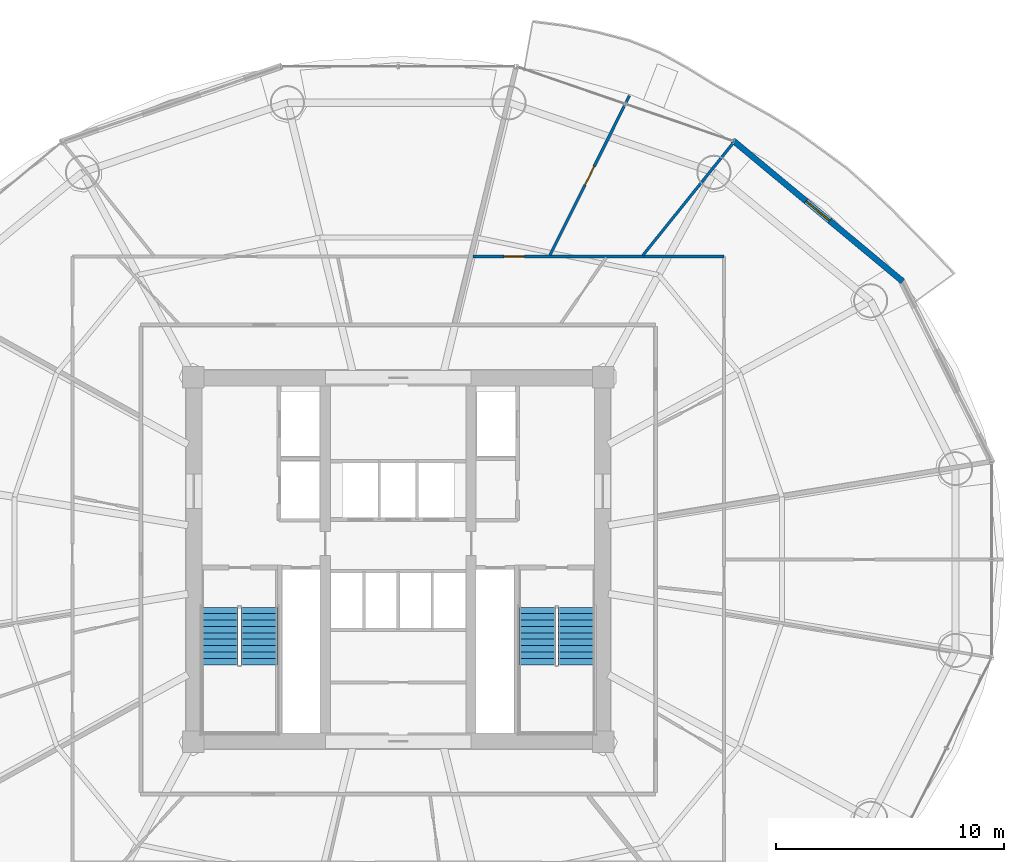
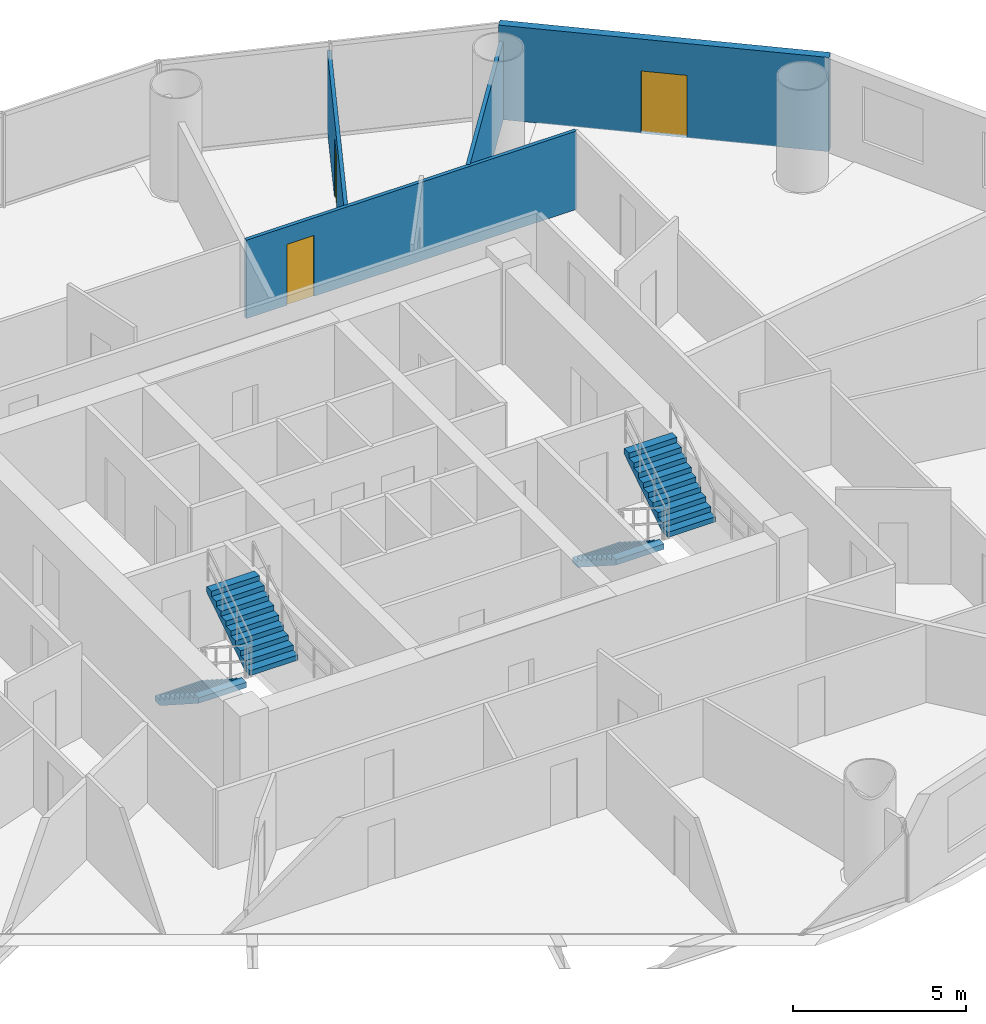
# One storey, part 25 of 29: 4 stair flights, 4 walls, 3 doors, 3 openings, 2 elements without a shape of their own.
"""IFC4 building model written with IfcOpenShell, lengths in metres."""

from ifc_helpers import new_model, si_unit, direction, frame, frame_2d, origin, place, context, subcontext, project, spatial, polyline, rectangle, outline, extrude, source, transform, mapped, material, layer, layer_set, type_object, element, fill, aggregate, save


model = new_model("IFC4")

# Units and contexts
model_context = context("Model", 3, precision=1e-05, world=origin(), true_north=direction((-0.2419218956, 0.970295726276)))
body_context = subcontext(model_context, "Body", "Model", "MODEL_VIEW")
ifc_project = project(units=[si_unit("LENGTHUNIT", "METRE"), si_unit("AREAUNIT", "SQUARE_METRE"), si_unit("VOLUMEUNIT", "CUBIC_METRE"), si_unit("PLANEANGLEUNIT", "RADIAN"), si_unit("MASSUNIT", "GRAM", prefix="KILO")], contexts=[model_context])

# Site, building, storey
site_placement = place(None, origin())
site = spatial("IfcSite", under=ifc_project, at=site_placement, CompositionType="ELEMENT")
building_placement = place(site_placement, origin())
building = spatial("IfcBuilding", under=site, at=building_placement, Name="Cobrevalo Terracotta Tower", CompositionType="ELEMENT")
storey_placement = place(building_placement, frame((0.0, 0.0, 123.0)))
storey = spatial("IfcBuildingStorey", under=building, at=storey_placement, Name="L32", CompositionType="ELEMENT", Elevation=123.0)

# Wall, opening, door
ifc_material_1 = material(Name="Autoclaved aerated concrete block", Category="concrete")
ifc_layer_1 = layer(ifc_material_1, 0.260009765625)
ifc_layer_set_1 = layer_set([ifc_layer_1], Name="Autoclaved aerated concrete block")
wall_type_1 = type_object("IfcWallType", Name="Recessed balcony loggia insulated exterior wall 260 mm", PredefinedType="SOLIDWALL", material=ifc_layer_set_1)
wall_1_placement = place(storey_placement, frame((60.15380859375, 39.01025390625, 0.0), z_axis=(0.0, 0.0, 1.0), x_axis=(-0.769242574941, 0.638956853706, 0.0)))
wall_1 = element("IfcWall", 1, at=wall_1_placement, inside=storey, type_object=wall_type_1, Name="L32 balcony loggia wall S02", PredefinedType="SOLIDWALL", context=body_context, shape_type="SweptSolid", body=[
    extrude(rectangle(XDim=9.68994140625, YDim=0.260009765625, at=frame_2d((4.844970703125, 0.0))), origin(), (0.0, 0.0, 1.0), 3.324951171875),
])
opening_1_placement = place(wall_1_placement, frame((4.169921875, 0.0, 0.0)))
opening_1 = element("IfcOpeningElement", 2, at=opening_1_placement, cuts=wall_1, Name="Opening ED-05", PredefinedType="OPENING", context=body_context, shape_type="SweptSolid", body=[
    extrude(rectangle(XDim=1.35009765625, YDim=2.199951171875, at=frame_2d((0.675048828125, 1.10009765625))), frame((0.0, 0.14013671875, 0.0), z_axis=(0.0, -1.0, 0.0), x_axis=(1.0, 0.0, 0.0)), (0.0, 0.0, 1.0), 0.280029296875),
])
ifc_material_2 = material(Name="Anodized aluminium and laminated glass", Category="aluminium")
door_type_1 = type_object("IfcDoorType", Name="Suite balcony acoustic glazed terrace door 1350x2200", OperationType="NOTDEFINED", PredefinedType="DOOR", material=ifc_material_2)
shared_shape_1 = source(origin(), body_context, "Body", "SweptSolid", [
    extrude(rectangle(XDim=1.35009765625, YDim=2.199951171875, at=frame_2d((0.675048828125, 1.10009765625))), frame((0.0, 0.02490234375, 0.0), z_axis=(0.0, -1.0, 0.0), x_axis=(1.0, 0.0, 0.0)), (0.0, 0.0, 1.0), 0.050048828125),
])
door_1_placement = place(opening_1_placement, frame((1.35009765625, 0.0, 0.0), z_axis=(0.0, 0.0, 1.0), x_axis=(-1.0, 0.0, 0.0)))
door_1 = element("IfcDoor", 3, at=door_1_placement, inside=storey, type_object=door_type_1, Name="L32 glazed balcony terrace door 1", OperationType="SINGLE_SWING_LEFT", OverallHeight=2.199951171875, OverallWidth=1.35009765625, PredefinedType="DOOR", context=body_context, shape_type="MappedRepresentation", body=[
    mapped(shared_shape_1, transform((0.0, 0.0, 0.0), scale=1.0)),
])
fill(opening_1, door_1)

ifc_material_3 = material(Name="Gypsum board on steel stud", Category="steel")
ifc_layer_2 = layer(ifc_material_3, 0.1201171875)
ifc_layer_set_2 = layer_set([ifc_layer_2], Name="Gypsum board on steel stud")
wall_type_2 = type_object("IfcWallType", Name="Residential internal acoustic stud partition 120 mm", PredefinedType="PARTITIONING", material=ifc_layer_set_2)
wall_2_placement = place(storey_placement, frame((41.287353515625, 40.10498046875, 0.0), z_axis=(0.0, 0.0, 1.0), x_axis=(1.0, 0.0, 0.0)))
wall_2 = element("IfcWall", 4, at=wall_2_placement, inside=storey, type_object=wall_type_2, Name="L32 interior partition IW-L32-U1-RING0_0", PredefinedType="PARTITIONING", context=body_context, shape_type="SweptSolid", body=[
    extrude(rectangle(XDim=11.017578125, YDim=0.1201171875, at=frame_2d((5.5087890625, 0.0))), origin(), (0.0, 0.0, 1.0), 2.76708984375),
])
opening_2_placement = place(wall_2_placement, frame((1.35693359375, 0.0, 0.0)))
opening_2 = element("IfcOpeningElement", 5, at=opening_2_placement, cuts=wall_2, Name="Opening ID-12", PredefinedType="OPENING", context=body_context, shape_type="SweptSolid", body=[
    extrude(rectangle(XDim=0.89990234375, YDim=2.14990234375, at=frame_2d((0.449951171875, 1.074951171875))), frame((0.0, 0.070068359375, 0.0), z_axis=(0.0, -1.0, 0.0), x_axis=(1.0, 0.0, 0.0)), (0.0, 0.0, 1.0), 0.14013671875),
])
ifc_material_4 = material(Name="Engineered timber", Category="wood")
door_type_2 = type_object("IfcDoorType", Name="Internal residence & suite timber door 900x2150", OperationType="NOTDEFINED", PredefinedType="DOOR", material=ifc_material_4)
shared_shape_2 = source(origin(), body_context, "Body", "SweptSolid", [
    extrude(rectangle(XDim=0.89990234375, YDim=2.14990234375, at=frame_2d((0.449951171875, 1.074951171875))), frame((0.0, 0.02490234375, 0.0), z_axis=(0.0, -1.0, 0.0), x_axis=(1.0, 0.0, 0.0)), (0.0, 0.0, 1.0), 0.050048828125),
])
door_2_placement = place(opening_2_placement, origin())
door_2 = element("IfcDoor", 6, at=door_2_placement, inside=storey, type_object=door_type_2, Name="Flat L32A Penthouse Family Lounge internal door", OperationType="SINGLE_SWING_LEFT", OverallHeight=2.14990234375, OverallWidth=0.89990234375, PredefinedType="DOOR", context=body_context, shape_type="MappedRepresentation", body=[
    mapped(shared_shape_2, transform((0.0, 0.0, 0.0), scale=1.0)),
])
fill(opening_2, door_2)

# Wall
wall_3_placement = place(storey_placement, frame((48.7392578125, 40.1533203125, 0.0), z_axis=(0.0, 0.0, 1.0), x_axis=(0.626714875168, 0.779248654309, 0.0)))
element("IfcWall", 7, at=wall_3_placement, inside=storey, type_object=wall_type_2, Name="L32 interior partition IW-L32-U1-ORAD1", PredefinedType="PARTITIONING", context=body_context, shape_type="SweptSolid", body=[
    extrude(rectangle(XDim=6.331787109375, YDim=0.1201171875, at=frame_2d((3.166015625, 0.0))), origin(), (0.0, 0.0, 1.0), 2.76708984375),
])

# Wall, opening, door
wall_4_placement = place(storey_placement, frame((44.660888671875, 40.160400390625, 0.0), z_axis=(0.0, 0.0, 1.0), x_axis=(0.446177198157, 0.894944639542, 0.0)))
wall_4 = element("IfcWall", 8, at=wall_4_placement, inside=storey, type_object=wall_type_2, Name="L32 interior partition IW-L32-U1-ORAD2M1", PredefinedType="PARTITIONING", context=body_context, shape_type="SweptSolid", body=[
    extrude(rectangle(XDim=7.822998046875, YDim=0.1201171875, at=frame_2d((3.91162109375, 0.0))), origin(), (0.0, 0.0, 1.0), 2.76708984375),
])
opening_3_placement = place(wall_4_placement, frame((3.46142578125, 0.0, 0.0)))
opening_3 = element("IfcOpeningElement", 9, at=opening_3_placement, cuts=wall_4, Name="Opening ID-12", PredefinedType="OPENING", context=body_context, shape_type="SweptSolid", body=[
    extrude(rectangle(XDim=0.89990234375, YDim=2.14990234375, at=frame_2d((0.449951171875, 1.074951171875))), frame((0.0, 0.070068359375, 0.0), z_axis=(0.0, -1.0, 0.0), x_axis=(1.0, 0.0, 0.0)), (0.0, 0.0, 1.0), 0.14013671875),
])
door_3_placement = place(opening_3_placement, frame((0.89990234375, 0.0, 0.0), z_axis=(0.0, 0.0, 1.0), x_axis=(-1.0, 0.0, 0.0)))
door_3 = element("IfcDoor", 10, at=door_3_placement, inside=storey, type_object=door_type_2, Name="Flat L32A Master Bedroom internal door", OperationType="SINGLE_SWING_RIGHT", OverallHeight=2.14990234375, OverallWidth=0.89990234375, PredefinedType="DOOR", context=body_context, shape_type="MappedRepresentation", body=[
    mapped(shared_shape_2, transform((0.0, 0.0, 0.0), scale=1.0)),
])
fill(opening_3, door_3)

# Stair, stair flights
ifc_material_5 = material(Name="Concrete C50", Category="concrete")
stair_type = type_object("IfcStairType", Name="Core protected escape dogleg stair 1600", PredefinedType="HALF_TURN_STAIR", material=ifc_material_5)
stair_1_placement = place(storey_placement, origin())
stair_1 = element("IfcStair", 11, at=stair_1_placement, inside=storey, type_object=stair_type, Name="L32 Protected exit stair ST-1", PredefinedType="HALF_TURN_STAIR")
stair_flight_type = type_object("IfcStairFlightType", Name="Core protected escape dogleg stair 1600 flight", PredefinedType="STRAIGHT", material=ifc_material_5)
stair_flight_1_placement = place(storey_placement, frame((30.175048828125, 24.699951171875, 0.0), z_axis=(0.0, 0.0, 1.0), x_axis=(0.0, -1.0, 0.0)))
stair_flight_1 = element("IfcStairFlight", 12, at=stair_flight_1_placement, type_object=stair_flight_type, Name="ST-1 flight 1", NumberOfRisers=10, NumberOfTreads=9, PredefinedType="STRAIGHT", RiserHeight=0.18, TreadLength=0.28, context=body_context, shape_type="SweptSolid", body=[
    extrude(outline(polyline([(0.0, 0.0), (0.0, 0.179931640625), (0.280029296875, 0.179931640625), (0.280029296875, 0.360107421875), (0.56005859375, 0.360107421875), (0.56005859375, 0.5400390625), (0.840087890625, 0.5400390625), (0.840087890625, 0.719970703125), (1.1201171875, 0.719970703125), (1.1201171875, 0.89990234375), (1.39990234375, 0.89990234375), (1.39990234375, 1.080078125), (1.679931640625, 1.080078125), (1.679931640625, 1.260009765625), (1.9599609375, 1.260009765625), (1.9599609375, 1.43994140625), (2.239990234375, 1.43994140625), (2.239990234375, 1.6201171875), (2.52001953125, 1.6201171875), (2.52001953125, 1.800048828125), (2.52001953125, 1.429931640625), (0.295654296875, 0.0), (0.0, 0.0)])), frame((0.0, 0.800048828125, 0.0), z_axis=(0.0, -1.0, 0.0), x_axis=(1.0, 0.0, 0.0)), (0.0, 0.0, 1.0), 1.60009765625),
])
stair_flight_2_placement = place(storey_placement, frame((31.89501953125, 22.179931640625, 1.800048828125), z_axis=(0.0, 0.0, 1.0), x_axis=(0.0, 1.0, 0.0)))
stair_flight_2 = element("IfcStairFlight", 13, at=stair_flight_2_placement, type_object=stair_flight_type, Name="ST-1 flight 2", NumberOfRisers=10, NumberOfTreads=9, PredefinedType="STRAIGHT", RiserHeight=0.18, TreadLength=0.28, context=body_context, shape_type="SweptSolid", body=[
    extrude(outline(polyline([(0.0, 0.0), (0.0, 0.179931640625), (0.280029296875, 0.179931640625), (0.280029296875, 0.360107421875), (0.56005859375, 0.360107421875), (0.56005859375, 0.5400390625), (0.840087890625, 0.5400390625), (0.840087890625, 0.719970703125), (1.1201171875, 0.719970703125), (1.1201171875, 0.89990234375), (1.39990234375, 0.89990234375), (1.39990234375, 1.080078125), (1.679931640625, 1.080078125), (1.679931640625, 1.260009765625), (1.9599609375, 1.260009765625), (1.9599609375, 1.43994140625), (2.239990234375, 1.43994140625), (2.239990234375, 1.6201171875), (2.52001953125, 1.6201171875), (2.52001953125, 1.800048828125), (2.52001953125, 1.429931640625), (0.295654296875, 0.0), (0.0, 0.0)])), frame((0.0, 0.800048828125, 0.0), z_axis=(0.0, -1.0, 0.0), x_axis=(1.0, 0.0, 0.0)), (0.0, 0.0, 1.0), 1.60009765625),
])
aggregate(stair_1, [stair_flight_1, stair_flight_2])

stair_2_placement = place(storey_placement, origin())
stair_2 = element("IfcStair", 14, at=stair_2_placement, inside=storey, type_object=stair_type, Name="L32 Protected exit stair ST-2", PredefinedType="HALF_TURN_STAIR")
stair_flight_3_placement = place(storey_placement, frame((44.10498046875, 24.699951171875, 0.0), z_axis=(0.0, 0.0, 1.0), x_axis=(0.0, -1.0, 0.0)))
stair_flight_3 = element("IfcStairFlight", 15, at=stair_flight_3_placement, type_object=stair_flight_type, Name="ST-2 flight 1", NumberOfRisers=10, NumberOfTreads=9, PredefinedType="STRAIGHT", RiserHeight=0.18, TreadLength=0.28, context=body_context, shape_type="SweptSolid", body=[
    extrude(outline(polyline([(0.0, 0.0), (0.0, 0.179931640625), (0.280029296875, 0.179931640625), (0.280029296875, 0.360107421875), (0.56005859375, 0.360107421875), (0.56005859375, 0.5400390625), (0.840087890625, 0.5400390625), (0.840087890625, 0.719970703125), (1.1201171875, 0.719970703125), (1.1201171875, 0.89990234375), (1.39990234375, 0.89990234375), (1.39990234375, 1.080078125), (1.679931640625, 1.080078125), (1.679931640625, 1.260009765625), (1.9599609375, 1.260009765625), (1.9599609375, 1.43994140625), (2.239990234375, 1.43994140625), (2.239990234375, 1.6201171875), (2.52001953125, 1.6201171875), (2.52001953125, 1.800048828125), (2.52001953125, 1.429931640625), (0.295654296875, 0.0), (0.0, 0.0)])), frame((0.0, 0.800048828125, 0.0), z_axis=(0.0, -1.0, 0.0), x_axis=(1.0, 0.0, 0.0)), (0.0, 0.0, 1.0), 1.60009765625),
])
stair_flight_4_placement = place(storey_placement, frame((45.824951171875, 22.179931640625, 1.800048828125), z_axis=(0.0, 0.0, 1.0), x_axis=(0.0, 1.0, 0.0)))
stair_flight_4 = element("IfcStairFlight", 16, at=stair_flight_4_placement, type_object=stair_flight_type, Name="ST-2 flight 2", NumberOfRisers=10, NumberOfTreads=9, PredefinedType="STRAIGHT", RiserHeight=0.18, TreadLength=0.28, context=body_context, shape_type="SweptSolid", body=[
    extrude(outline(polyline([(0.0, 0.0), (0.0, 0.179931640625), (0.280029296875, 0.179931640625), (0.280029296875, 0.360107421875), (0.56005859375, 0.360107421875), (0.56005859375, 0.5400390625), (0.840087890625, 0.5400390625), (0.840087890625, 0.719970703125), (1.1201171875, 0.719970703125), (1.1201171875, 0.89990234375), (1.39990234375, 0.89990234375), (1.39990234375, 1.080078125), (1.679931640625, 1.080078125), (1.679931640625, 1.260009765625), (1.9599609375, 1.260009765625), (1.9599609375, 1.43994140625), (2.239990234375, 1.43994140625), (2.239990234375, 1.6201171875), (2.52001953125, 1.6201171875), (2.52001953125, 1.800048828125), (2.52001953125, 1.429931640625), (0.295654296875, 0.0), (0.0, 0.0)])), frame((0.0, 0.800048828125, 0.0), z_axis=(0.0, -1.0, 0.0), x_axis=(1.0, 0.0, 0.0)), (0.0, 0.0, 1.0), 1.60009765625),
])
aggregate(stair_2, [stair_flight_3, stair_flight_4])

save(model, "model.ifc")
